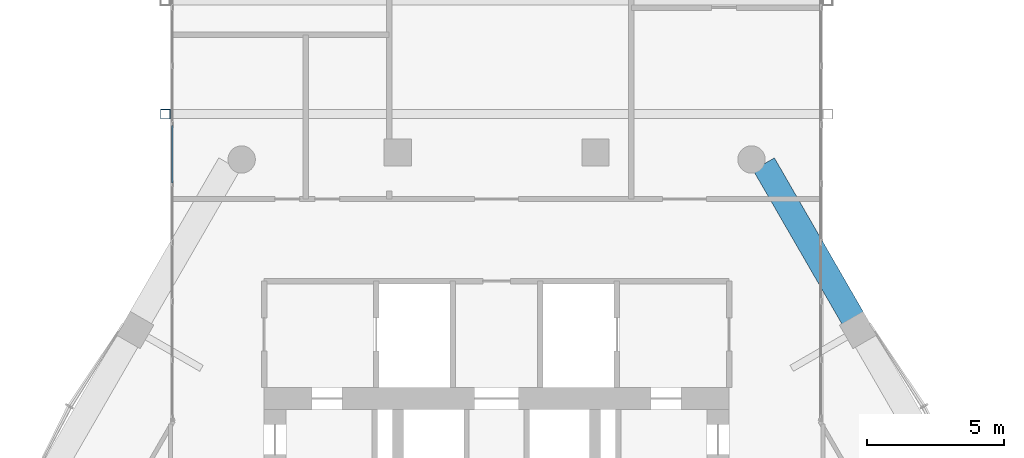
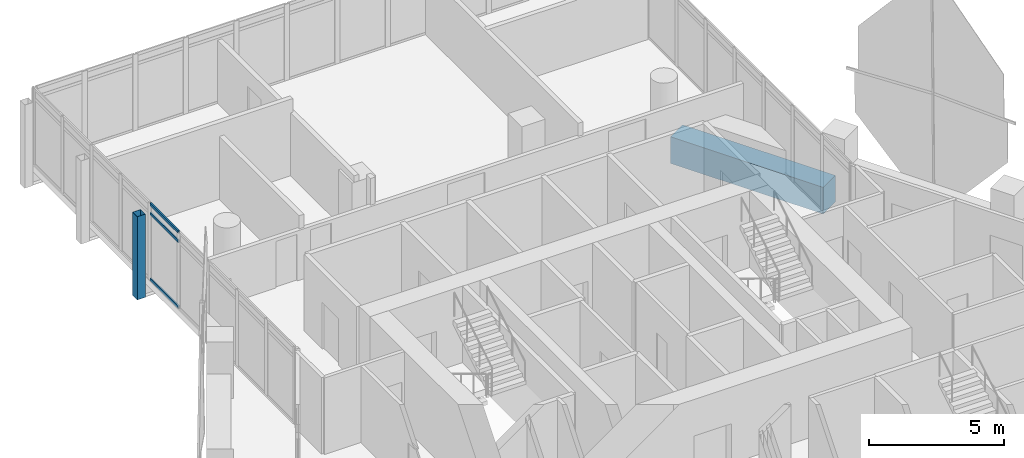
# One storey, part 17 of 37: 4 members, 1 beam, 1 element without a shape of its own.
"""IFC4 building model written with IfcOpenShell, lengths in metres."""

from ifc_helpers import new_model, si_unit, direction, frame, origin, origin_2d, place, context, subcontext, project, spatial, rectangle, hollow_rectangle, extrude, material, material_profile, profile_set, type_object, element, aggregate, save


model = new_model("IFC4")

# Units and contexts
model_context = context("Model", 3, precision=1e-05, world=origin(), true_north=direction((0.0, 1.0)))
body_context = subcontext(model_context, "Body", "Model", "MODEL_VIEW")
ifc_project = project(units=[si_unit("LENGTHUNIT", "METRE"), si_unit("AREAUNIT", "SQUARE_METRE"), si_unit("VOLUMEUNIT", "CUBIC_METRE"), si_unit("PLANEANGLEUNIT", "RADIAN"), si_unit("MASSUNIT", "GRAM", prefix="KILO")], contexts=[model_context])

# Site, building, storey
site_placement = place(None, origin())
site = spatial("IfcSite", under=ifc_project, at=site_placement, CompositionType="ELEMENT")
building_placement = place(site_placement, origin())
building = spatial("IfcBuilding", under=site, at=building_placement, Name="Ostrander Bayou Hotel Tower", CompositionType="ELEMENT")
storey_placement = place(building_placement, frame((0.0, 0.0, 198.25)))
storey = spatial("IfcBuildingStorey", under=building, at=storey_placement, Name="L49", CompositionType="ELEMENT", Elevation=198.25)

# Curtain wall, members
ifc_material_1 = material(Name="Aluminium and clear glass", Category="aluminium")
curtain_wall_type = type_object("IfcCurtainWallType", Name="CW-BAR glazed wall", PredefinedType="NOTDEFINED", material=ifc_material_1)
curtain_wall_placement = place(storey_placement, origin())
curtain_wall = element("IfcCurtainWall", 1, at=curtain_wall_placement, inside=storey, type_object=curtain_wall_type, Name="CW-BAR L49:SB4N:E", PredefinedType="NOTDEFINED")
ifc_material_2 = material(Name="Aluminium", Category="aluminium")
ifc_material_profile_1 = material_profile(ifc_material_2, hollow_rectangle(XDim=0.06005859375, YDim=0.1298828125, WallThickness=0.00390625, at=origin_2d()))
ifc_profile_set_1 = profile_set([ifc_material_profile_1], Name="Aluminium")
member_type_1 = type_object("IfcMemberType", Name="CW-BR transom 60 x 130 mm", PredefinedType="USERDEFINED", material=ifc_profile_set_1)
member_1_placement = place(storey_placement, frame((-11.857177734375, 17.195068359375, 0.030029296875), z_axis=(0.0, 1.0, 0.0), x_axis=(-1.0, 0.0, 0.0)))
member_1 = element("IfcMember", 2, at=member_1_placement, type_object=member_type_1, Name="CW-BAR transom 5.1", ObjectType="TRANSOM", PredefinedType="USERDEFINED", context=body_context, shape_type="SweptSolid", body=[
    extrude(hollow_rectangle(XDim=0.06005859375, YDim=0.1298828125, WallThickness=0.00390625, at=origin_2d()), origin(), (0.0, 0.0, 1.0), 2.09033203125),
])
member_2_placement = place(storey_placement, frame((-11.857177734375, 17.195068359375, 3.0), z_axis=(0.0, 1.0, 0.0), x_axis=(-1.0, 0.0, 0.0)))
member_2 = element("IfcMember", 3, at=member_2_placement, type_object=member_type_1, Name="CW-BAR transom 5.2", ObjectType="TRANSOM", PredefinedType="USERDEFINED", context=body_context, shape_type="SweptSolid", body=[
    extrude(hollow_rectangle(XDim=0.06005859375, YDim=0.1298828125, WallThickness=0.00390625, at=origin_2d()), origin(), (0.0, 0.0, 1.0), 2.09033203125),
])
member_3_placement = place(storey_placement, frame((-11.857177734375, 17.195068359375, 3.419921875), z_axis=(0.0, 1.0, 0.0), x_axis=(-1.0, 0.0, 0.0)))
member_3 = element("IfcMember", 4, at=member_3_placement, type_object=member_type_1, Name="CW-BAR transom 5.3", ObjectType="TRANSOM", PredefinedType="USERDEFINED", context=body_context, shape_type="SweptSolid", body=[
    extrude(hollow_rectangle(XDim=0.06005859375, YDim=0.1298828125, WallThickness=0.00390625, at=origin_2d()), origin(), (0.0, 0.0, 1.0), 2.09033203125),
])
aggregate(curtain_wall, [member_1, member_2, member_3])

# Beam
ifc_material_3 = material(Name="Concrete f'c 60 MPa", Category="concrete")
ifc_material_profile_2 = material_profile(ifc_material_3, rectangle(XDim=0.89990234375, YDim=1.199951171875, at=origin_2d()))
ifc_profile_set_2 = profile_set([ifc_material_profile_2], Name="Concrete f'c 60 MPa")
beam_type = type_object("IfcBeamType", Name="SP3 spandrel beam 900 x 1200 mm f'c 60 MPa", PredefinedType="SPANDREL", material=ifc_profile_set_2)
beam_placement = place(storey_placement, frame((13.025390625, 12.24072265625, -0.60009765625), z_axis=(-0.499977752261, 0.866038248142, 0.0), x_axis=(-0.866038248142, -0.499977752261, 0.0)))
element("IfcBeam", 5, at=beam_placement, inside=storey, type_object=beam_type, Name="SP3 L49 NE-3", PredefinedType="SPANDREL", context=body_context, shape_type="SweptSolid", body=[
    extrude(rectangle(XDim=0.89990234375, YDim=1.199951171875, at=origin_2d()), origin(), (0.0, 0.0, 1.0), 6.511962890625),
])

# Member
ifc_material_4 = material(Name="Steel ASTM A500 Gr C", Category="steel")
ifc_material_profile_3 = material_profile(ifc_material_4, hollow_rectangle(XDim=0.355712890625, YDim=0.355712890625, WallThickness=0.01171875, at=origin_2d()))
ifc_profile_set_3 = profile_set([ifc_material_profile_3], Name="Steel ASTM A500 Gr C")
member_type_2 = type_object("IfcMemberType", Name="TH2 bar hanger HSS14x14x1/2", PredefinedType="POST", material=ifc_profile_set_3)
member_4_placement = place(storey_placement, frame((-12.110107421875, 19.706787109375, -0.9111328125), z_axis=(0.0, 0.0, 1.0), x_axis=(1.0, 0.0, 0.0)))
element("IfcMember", 6, at=member_4_placement, inside=storey, type_object=member_type_2, Name="TH2 SB4WA H3-2", PredefinedType="POST", context=body_context, shape_type="SweptSolid", body=[
    extrude(hollow_rectangle(XDim=0.355712890625, YDim=0.355712890625, WallThickness=0.01171875, at=origin_2d()), origin(), (0.0, 0.0, 1.0), 3.75),
])

save(model, "model.ifc")
